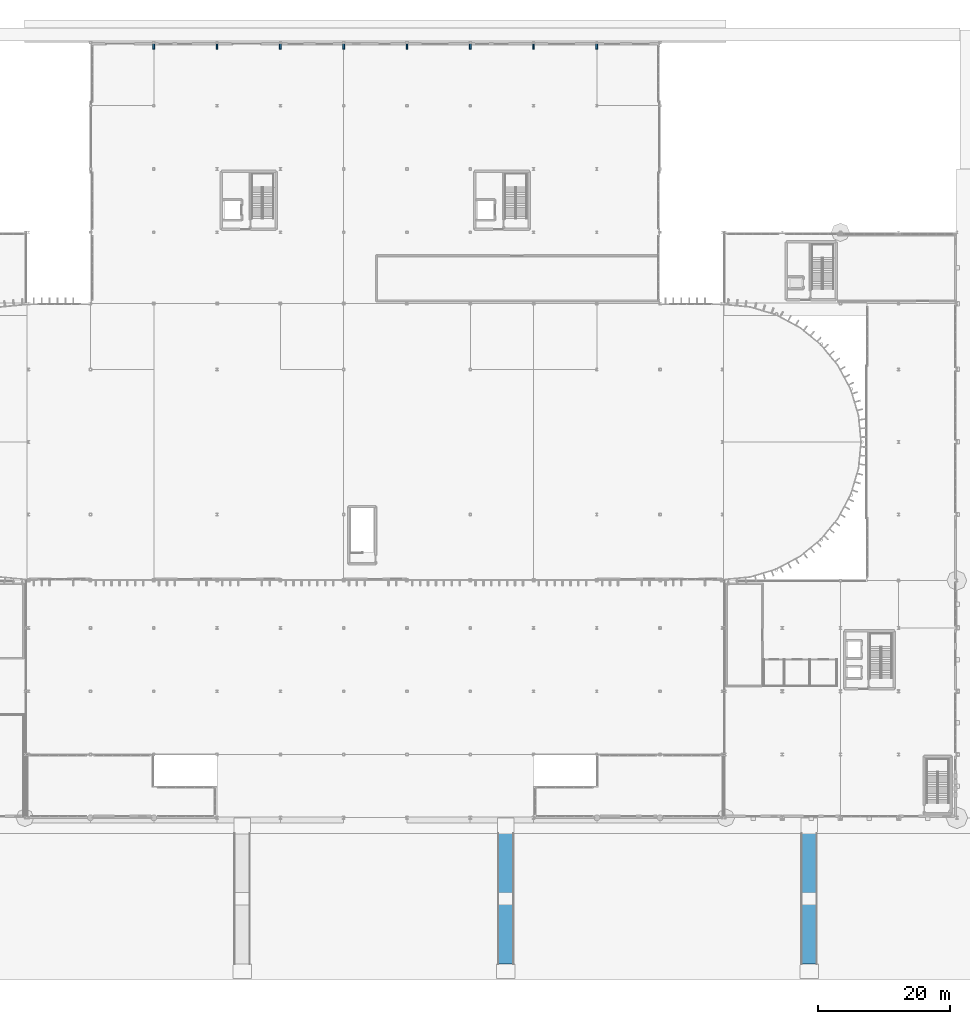
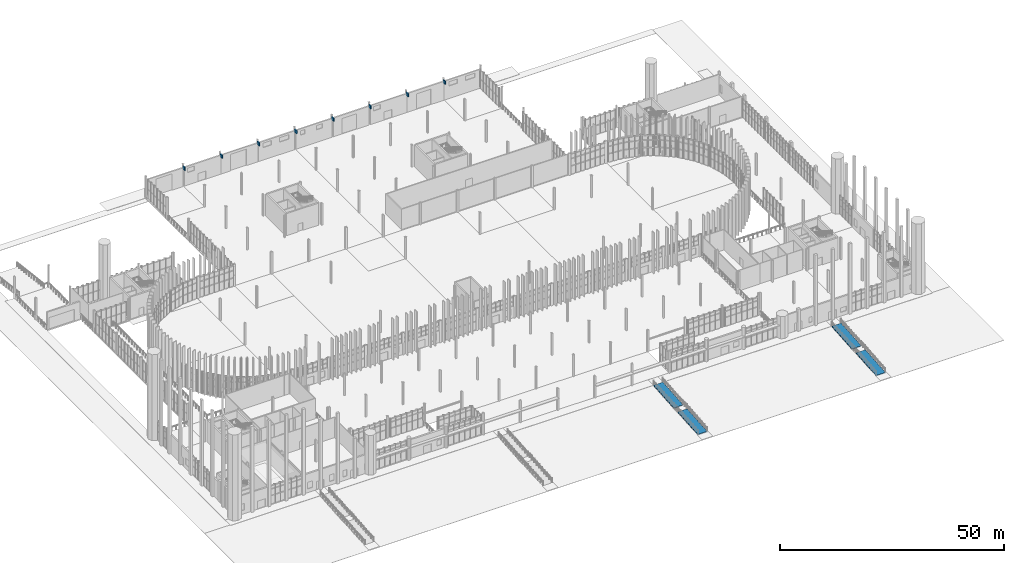
# One storey, part 109 of 139: 8 discrete accessories, 4 ramp flights, 2 elements without a shape of their own.
"""IFC4 building model written with IfcOpenShell, lengths in metres."""

from ifc_helpers import new_model, si_unit, direction, frame, origin, origin_2d, place, context, subcontext, project, spatial, polyline, rectangle, outline, extrude, material, layer, layer_set, type_object, element, aggregate, save


model = new_model("IFC4")

# Units and contexts
model_context = context("Model", 3, precision=1e-05, world=origin(), true_north=direction((0.0, 1.0)))
body_context = subcontext(model_context, "Body", "Model", "MODEL_VIEW")
ifc_project = project(units=[si_unit("LENGTHUNIT", "METRE"), si_unit("AREAUNIT", "SQUARE_METRE"), si_unit("VOLUMEUNIT", "CUBIC_METRE"), si_unit("PLANEANGLEUNIT", "RADIAN"), si_unit("MASSUNIT", "GRAM", prefix="KILO")], contexts=[model_context])

# Site, building, storey
site_placement = place(None, origin())
site = spatial("IfcSite", under=ifc_project, at=site_placement, CompositionType="ELEMENT")
building_placement = place(site_placement, origin())
building = spatial("IfcBuilding", under=site, at=building_placement, Name="Yeouljin Market Hall", CompositionType="ELEMENT")
storey_placement = place(building_placement, origin())
storey = spatial("IfcBuildingStorey", under=building, at=storey_placement, Name="L00", CompositionType="ELEMENT", Elevation=0.0)

# Ramp, ramp flights
ifc_material_1 = material(Name="Concrete C30/37", Category="concrete")
ramp_type = type_object("IfcRampType", Name="Ramp_Pedestrian_Granite", PredefinedType="STRAIGHT_RUN_RAMP", material=ifc_material_1)
ramp_1_placement = place(storey_placement, origin())
ramp_1 = element("IfcRamp", 1, at=ramp_1_placement, inside=storey, type_object=ramp_type, Name="Boulevard plinth accessible pedestrian ramp 03", PredefinedType="STRAIGHT_RUN_RAMP")
ifc_material_2 = material(Name="Concrete C30/37", Category="concrete")
ifc_layer = layer(ifc_material_2, 0.25)
ifc_layer_set = layer_set([ifc_layer], Name="Concrete C30/37")
ramp_flight_type = type_object("IfcRampFlightType", Name="RampFlight_Pedestrian_2400", PredefinedType="STRAIGHT", material=ifc_layer_set)
ramp_flight_1_placement = place(storey_placement, frame((108.0, -22.199951171875, -1.43994140625), z_axis=(0.0, 0.0, 1.0), x_axis=(0.0, 1.0, 0.0)))
ramp_flight_1 = element("IfcRampFlight", 2, at=ramp_flight_1_placement, type_object=ramp_flight_type, Name="Plinth pedestrian ramp 03 lower flight", PredefinedType="STRAIGHT", context=body_context, shape_type="SweptSolid", body=[
    extrude(outline(polyline([(0.0, 0.0), (9.0400390625, 0.719970703125), (9.0400390625, 0.469970703125), (0.0, -0.25), (0.0, 0.0)])), frame((0.0, 1.199951171875, 0.0), z_axis=(0.0, -1.0, 0.0), x_axis=(1.0, 0.0, 0.0)), (0.0, 0.0, 1.0), 2.39990234375),
])
ramp_flight_2_placement = place(storey_placement, frame((108.0, -11.419921875, -0.719970703125), z_axis=(0.0, 0.0, 1.0), x_axis=(0.0, 1.0, 0.0)))
ramp_flight_2 = element("IfcRampFlight", 3, at=ramp_flight_2_placement, type_object=ramp_flight_type, Name="Plinth pedestrian ramp 03 upper flight", PredefinedType="STRAIGHT", context=body_context, shape_type="SweptSolid", body=[
    extrude(outline(polyline([(0.0, 0.0), (9.0400390625, 0.719970703125), (9.0400390625, 0.469970703125), (0.0, -0.25), (0.0, 0.0)])), frame((0.0, 1.199951171875, 0.0), z_axis=(0.0, -1.0, 0.0), x_axis=(1.0, 0.0, 0.0)), (0.0, 0.0, 1.0), 2.39990234375),
])
aggregate(ramp_1, [ramp_flight_1, ramp_flight_2])

ramp_2_placement = place(storey_placement, origin())
ramp_2 = element("IfcRamp", 4, at=ramp_2_placement, inside=storey, type_object=ramp_type, Name="Boulevard plinth accessible pedestrian ramp 04", PredefinedType="STRAIGHT_RUN_RAMP")
ramp_flight_3_placement = place(storey_placement, frame((154.0, -22.199951171875, -1.43994140625), z_axis=(0.0, 0.0, 1.0), x_axis=(0.0, 1.0, 0.0)))
ramp_flight_3 = element("IfcRampFlight", 5, at=ramp_flight_3_placement, type_object=ramp_flight_type, Name="Plinth pedestrian ramp 04 lower flight", PredefinedType="STRAIGHT", context=body_context, shape_type="SweptSolid", body=[
    extrude(outline(polyline([(0.0, 0.0), (9.0400390625, 0.719970703125), (9.0400390625, 0.469970703125), (0.0, -0.25), (0.0, 0.0)])), frame((0.0, 1.199951171875, 0.0), z_axis=(0.0, -1.0, 0.0), x_axis=(1.0, 0.0, 0.0)), (0.0, 0.0, 1.0), 2.39990234375),
])
ramp_flight_4_placement = place(storey_placement, frame((154.0, -11.419921875, -0.719970703125), z_axis=(0.0, 0.0, 1.0), x_axis=(0.0, 1.0, 0.0)))
ramp_flight_4 = element("IfcRampFlight", 6, at=ramp_flight_4_placement, type_object=ramp_flight_type, Name="Plinth pedestrian ramp 04 upper flight", PredefinedType="STRAIGHT", context=body_context, shape_type="SweptSolid", body=[
    extrude(outline(polyline([(0.0, 0.0), (9.0400390625, 0.719970703125), (9.0400390625, 0.469970703125), (0.0, -0.25), (0.0, 0.0)])), frame((0.0, 1.199951171875, 0.0), z_axis=(0.0, -1.0, 0.0), x_axis=(1.0, 0.0, 0.0)), (0.0, 0.0, 1.0), 2.39990234375),
])
aggregate(ramp_2, [ramp_flight_3, ramp_flight_4])

# Discrete accessories
ifc_material_3 = material(Name="Steel SM355", Category="steel")
discrete_accessory_type = type_object("IfcDiscreteAccessoryType", Name="Bracket_Canopy_Knee", PredefinedType="BRACKET", material=ifc_material_3)
for number, where, z_axis, x_axis, name in (
    (7, (54.60009765625, 117.050048828125, 4.60009765625), (0.0, 0.0, 1.0), (1.0, 0.0, 0.0), "North dock canopy knee bracket 01"),
    (8, (64.199951171875, 117.050048828125, 4.60009765625), (0.0, 0.0, 1.0), (1.0, 0.0, 0.0), "North dock canopy knee bracket 02"),
    (9, (73.800048828125, 117.050048828125, 4.60009765625), (0.0, 0.0, 1.0), (1.0, 0.0, 0.0), "North dock canopy knee bracket 03"),
    (10, (83.39990234375, 117.050048828125, 4.60009765625), (0.0, 0.0, 1.0), (1.0, 0.0, 0.0), "North dock canopy knee bracket 04"),
    (11, (93.0, 117.050048828125, 4.60009765625), (0.0, 0.0, 1.0), (1.0, 0.0, 0.0), "North dock canopy knee bracket 05"),
    (12, (102.60009765625, 117.050048828125, 4.60009765625), (0.0, 0.0, 1.0), (1.0, 0.0, 0.0), "North dock canopy knee bracket 06"),
    (13, (112.199951171875, 117.050048828125, 4.60009765625), (0.0, 0.0, 1.0), (1.0, 0.0, 0.0), "North dock canopy knee bracket 07"),
    (14, (121.800048828125, 117.050048828125, 4.60009765625), (0.0, 0.0, 1.0), (1.0, 0.0, 0.0), "North dock canopy knee bracket 08"),
):
    element("IfcDiscreteAccessory", number, at=place(storey_placement, frame(where, z_axis=z_axis, x_axis=x_axis)), inside=storey, type_object=discrete_accessory_type, Name=name, PredefinedType="BRACKET", context=body_context, shape_type="SweptSolid", body=[
        extrude(rectangle(XDim=0.280029296875, YDim=0.89990234375, at=origin_2d()), origin(), (0.0, 0.0, 1.0), 0.89990234375),
    ])

save(model, "model.ifc")
